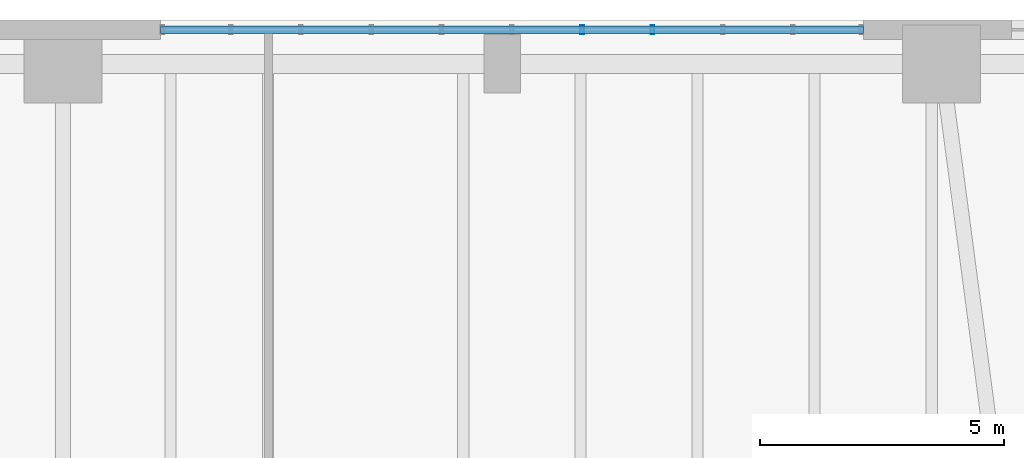
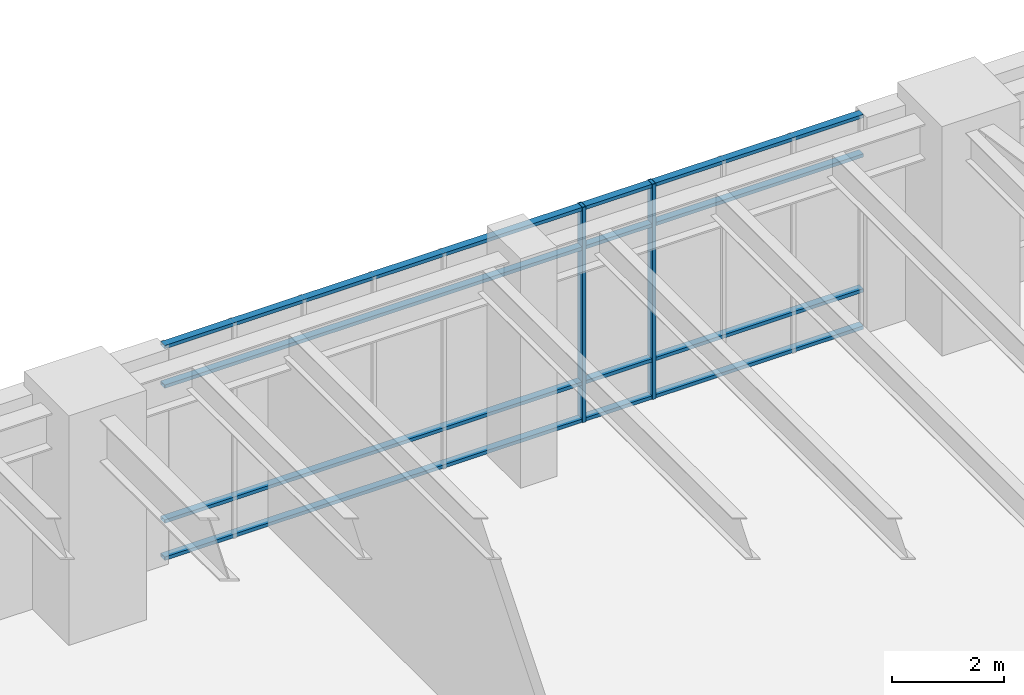
# One storey, part 16 of 26: 6 members, 1 element without a shape of its own.
"""IFC4 building model written with IfcOpenShell, lengths in metres."""

from ifc_helpers import new_model, si_unit, direction, frame, origin, origin_2d, place, context, subcontext, project, spatial, hollow_rectangle, extrude, material, layer, layer_set, material_profile, profile_set, type_object, element, aggregate, save


model = new_model("IFC4")

# Units and contexts
model_context = context("Model", 3, precision=1e-05, world=origin(), true_north=direction((0.0, 1.0)))
body_context = subcontext(model_context, "Body", "Model", "MODEL_VIEW")
ifc_project = project(units=[si_unit("LENGTHUNIT", "METRE"), si_unit("AREAUNIT", "SQUARE_METRE"), si_unit("VOLUMEUNIT", "CUBIC_METRE"), si_unit("PLANEANGLEUNIT", "RADIAN"), si_unit("MASSUNIT", "GRAM", prefix="KILO"), si_unit("THERMODYNAMICTEMPERATUREUNIT", "KELVIN"), si_unit("POWERUNIT", "WATT")], contexts=[model_context])

# Site, building, storey
site_placement = place(None, origin())
site = spatial("IfcSite", under=ifc_project, at=site_placement, CompositionType="ELEMENT")
building_placement = place(site_placement, origin())
building = spatial("IfcBuilding", under=site, at=building_placement, Name="Skarre Station Tower", CompositionType="ELEMENT")
storey_placement = place(building_placement, frame((0.0, 0.0, 6.0)))
storey = spatial("IfcBuildingStorey", under=building, at=storey_placement, Name="L02", CompositionType="ELEMENT", Elevation=6.0)

# Curtain wall, members
ifc_material_1 = material(Name="Thermally Broken Bronze-Anodized Aluminium & Triple Low-E Glass", Category="aluminium")
ifc_layer = layer(ifc_material_1, 0.199951171875, Name="Thermally Broken Bronze-Anodized Aluminium & Triple Low-E Glass")
ifc_layer_set = layer_set([ifc_layer], Name="Thermally Broken Bronze-Anodized Aluminium & Triple Low-E Glass")
curtain_wall_type = type_object("IfcCurtainWallType", Name="Podium Transit Arcade Stick Curtain Wall", PredefinedType="NOTDEFINED", material=ifc_layer_set)
curtain_wall_placement = place(storey_placement, origin())
curtain_wall = element("IfcCurtainWall", 1, at=curtain_wall_placement, inside=storey, type_object=curtain_wall_type, Name="L02 North Drop-Off Portal Curtain Wall", PredefinedType="NOTDEFINED")
ifc_material_2 = material(Name="Anodized Aluminium 6063-T6", Category="aluminium")
ifc_material_profile_1 = material_profile(ifc_material_2, hollow_rectangle(XDim=0.074951171875, YDim=0.14990234375, WallThickness=0.00390625, at=origin_2d()), Name="Anodized Aluminium 6063-T6")
ifc_profile_set_1 = profile_set([ifc_material_profile_1], Name="Anodized Aluminium 6063-T6")
member_type_1 = type_object("IfcMemberType", Name="Curtain-Wall Secondary Transom 150x75", PredefinedType="USERDEFINED", material=ifc_profile_set_1)
member_1_placement = place(storey_placement, frame((38.0, 47.800048828125, 0.0400390625), z_axis=(1.0, 0.0, 0.0), x_axis=(0.0, 0.0, 1.0)))
member_1 = element("IfcMember", 2, at=member_1_placement, type_object=member_type_1, Name="L02 North Drop-Off Portal Curtain Wall Transom 1", ObjectType="TRANSOM", PredefinedType="USERDEFINED", context=body_context, shape_type="SweptSolid", body=[
    extrude(hollow_rectangle(XDim=0.074951171875, YDim=0.14990234375, WallThickness=0.00390625, at=origin_2d()), origin(), (0.0, 0.0, 1.0), 14.39990234375),
])
member_2_placement = place(storey_placement, frame((38.0, 47.800048828125, 0.85009765625), z_axis=(1.0, 0.0, 0.0), x_axis=(0.0, 0.0, 1.0)))
member_2 = element("IfcMember", 3, at=member_2_placement, type_object=member_type_1, Name="L02 North Drop-Off Portal Curtain Wall Transom 2", ObjectType="TRANSOM", PredefinedType="USERDEFINED", context=body_context, shape_type="SweptSolid", body=[
    extrude(hollow_rectangle(XDim=0.074951171875, YDim=0.14990234375, WallThickness=0.00390625, at=origin_2d()), origin(), (0.0, 0.0, 1.0), 14.39990234375),
])
member_3_placement = place(storey_placement, frame((38.0, 47.800048828125, 3.7900390625), z_axis=(1.0, 0.0, 0.0), x_axis=(0.0, 0.0, 1.0)))
member_3 = element("IfcMember", 4, at=member_3_placement, type_object=member_type_1, Name="L02 North Drop-Off Portal Curtain Wall Transom 3", ObjectType="TRANSOM", PredefinedType="USERDEFINED", context=body_context, shape_type="SweptSolid", body=[
    extrude(hollow_rectangle(XDim=0.074951171875, YDim=0.14990234375, WallThickness=0.00390625, at=origin_2d()), origin(), (0.0, 0.0, 1.0), 14.39990234375),
])
member_4_placement = place(storey_placement, frame((38.0, 47.800048828125, 4.64990234375), z_axis=(1.0, 0.0, 0.0), x_axis=(0.0, 0.0, 1.0)))
member_4 = element("IfcMember", 5, at=member_4_placement, type_object=member_type_1, Name="L02 North Drop-Off Portal Curtain Wall Transom 4", ObjectType="TRANSOM", PredefinedType="USERDEFINED", context=body_context, shape_type="SweptSolid", body=[
    extrude(hollow_rectangle(XDim=0.074951171875, YDim=0.14990234375, WallThickness=0.00390625, at=origin_2d()), origin(), (0.0, 0.0, 1.0), 14.39990234375),
])
ifc_material_profile_2 = material_profile(ifc_material_2, hollow_rectangle(XDim=0.074951171875, YDim=0.179931640625, WallThickness=0.00390625, at=origin_2d()), Name="Anodized Aluminium 6063-T6")
ifc_profile_set_2 = profile_set([ifc_material_profile_2], Name="Anodized Aluminium 6063-T6")
member_type_2 = type_object("IfcMemberType", Name="Curtain-Wall Unitised Tower Mullion 180x75", PredefinedType="MULLION", material=ifc_profile_set_2)
member_5_placement = place(storey_placement, frame((46.639892578125, 47.800048828125, 0.0), z_axis=(0.0, 0.0, 1.0), x_axis=(1.0, 0.0, 0.0)))
member_5 = element("IfcMember", 6, at=member_5_placement, type_object=member_type_2, Name="L02 North Drop-Off Portal Curtain Wall Mullion 7", PredefinedType="MULLION", context=body_context, shape_type="SweptSolid", body=[
    extrude(hollow_rectangle(XDim=0.074951171875, YDim=0.179931640625, WallThickness=0.00390625, at=origin_2d()), origin(), (0.0, 0.0, 1.0), 4.68994140625),
])
member_6_placement = place(storey_placement, frame((48.080078125, 47.800048828125, 0.0), z_axis=(0.0, 0.0, 1.0), x_axis=(1.0, 0.0, 0.0)))
member_6 = element("IfcMember", 7, at=member_6_placement, type_object=member_type_2, Name="L02 North Drop-Off Portal Curtain Wall Mullion 8", PredefinedType="MULLION", context=body_context, shape_type="SweptSolid", body=[
    extrude(hollow_rectangle(XDim=0.074951171875, YDim=0.179931640625, WallThickness=0.00390625, at=origin_2d()), origin(), (0.0, 0.0, 1.0), 4.68994140625),
])
aggregate(curtain_wall, [member_5, member_6, member_1, member_2, member_3, member_4])

save(model, "model.ifc")
